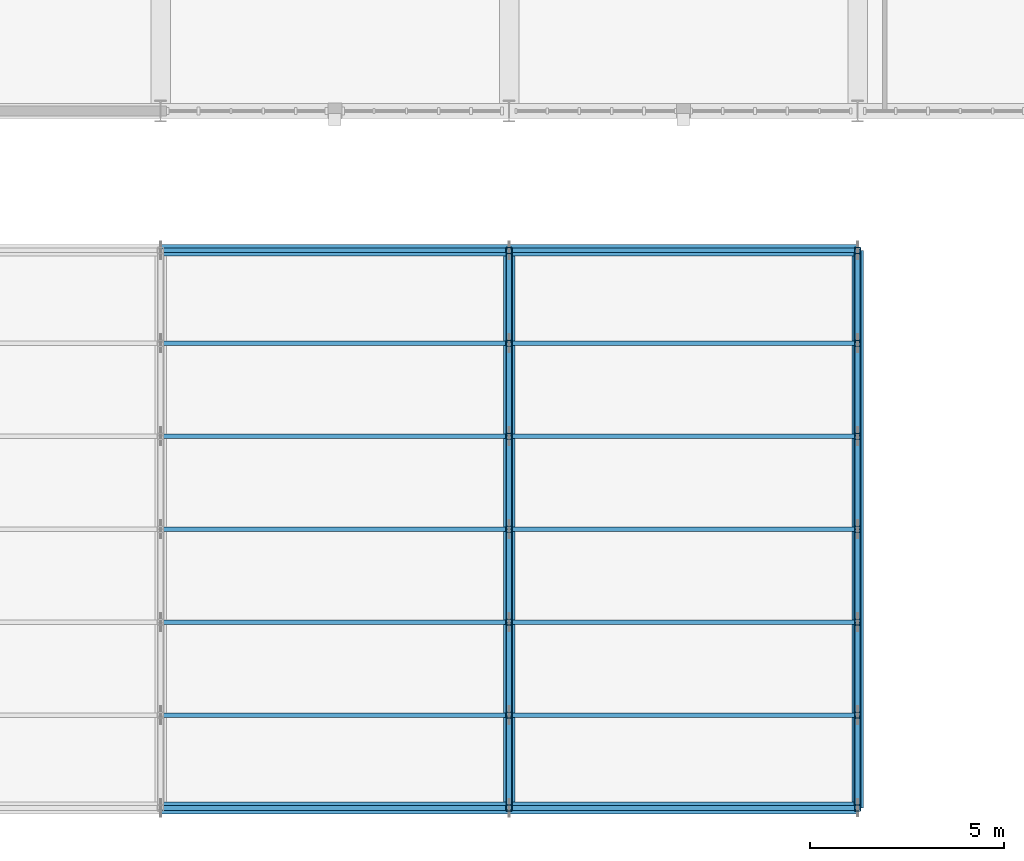
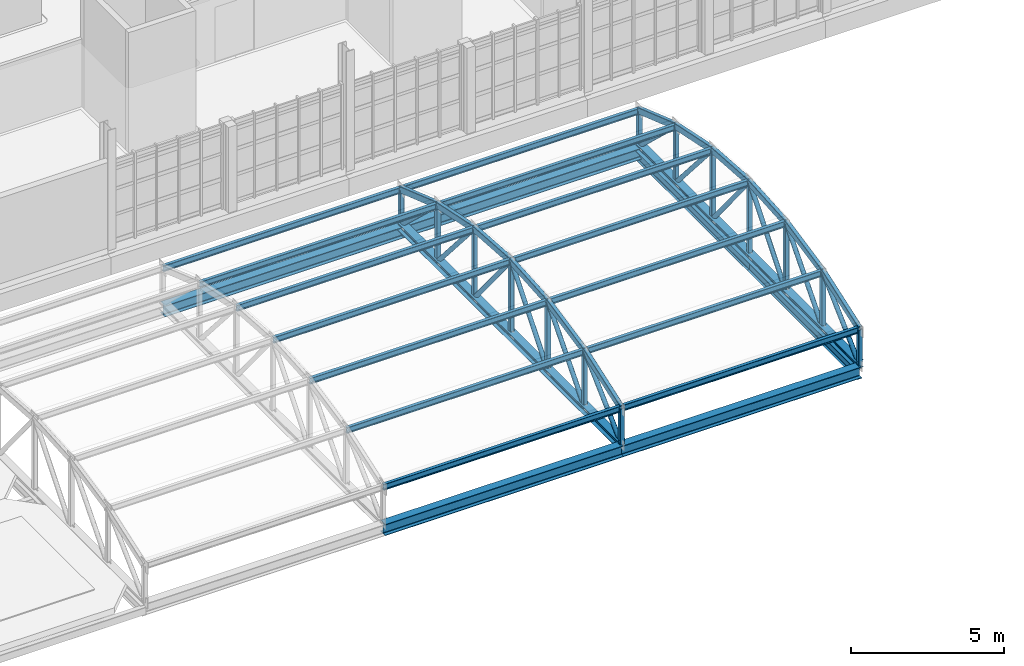
# One storey, part 16 of 128: 54 members, 6 beams.
"""IFC4 building model written with IfcOpenShell, lengths in metres."""

from ifc_helpers import new_model, si_unit, direction, frame, origin, origin_2d, place, context, subcontext, project, spatial, hollow_rectangle, hollow_circle, i_section, extrude, material, material_profile, profile_set, type_object, element, save


model = new_model("IFC4")

# Units and contexts
model_context = context("Model", 3, precision=1e-05, world=origin(), true_north=direction((0.0, 1.0)))
body_context = subcontext(model_context, "Body", "Model", "MODEL_VIEW")
ifc_project = project(units=[si_unit("LENGTHUNIT", "METRE"), si_unit("AREAUNIT", "SQUARE_METRE"), si_unit("VOLUMEUNIT", "CUBIC_METRE"), si_unit("PLANEANGLEUNIT", "RADIAN"), si_unit("MASSUNIT", "GRAM", prefix="KILO")], contexts=[model_context])

# Site, building, storey
site_placement = place(None, origin())
site = spatial("IfcSite", under=ifc_project, at=site_placement, CompositionType="ELEMENT")
building_placement = place(site_placement, origin())
building = spatial("IfcBuilding", under=site, at=building_placement, Name="Serraforn Aerial Cableway Station", CompositionType="ELEMENT")
storey_placement = place(building_placement, frame((0.0, 0.0, 9.0)))
storey = spatial("IfcBuildingStorey", under=building, at=storey_placement, Name="L02", CompositionType="ELEMENT", Elevation=9.0)

# Beams
ifc_material_1 = material(Name="Steel S355JR", Category="steel")
ifc_material_profile_1 = material_profile(ifc_material_1, i_section(OverallWidth=0.300048828125, OverallDepth=0.449951171875, WebThickness=0.011474609375, FlangeThickness=0.02099609375, FilletRadius=0.027099609375, at=origin_2d()), Name="HEA 450")
ifc_profile_set_1 = profile_set([ifc_material_profile_1], Name="Steel S355JR")
beam_type_1 = type_object("IfcBeamType", Name="BM-ST-HEA450", PredefinedType="USERDEFINED", material=ifc_profile_set_1)
for number, where, z_axis, x_axis, name in (
    (1, (45.60009765625, 0.0, -0.364990234375), (1.0, 0.0, 0.0), (0.0, 1.0, 0.0), "Concourse Vault Eave Girder S-2"),
    (2, (54.60009765625, 0.0, -0.364990234375), (1.0, 0.0, 0.0), (0.0, 1.0, 0.0), "Concourse Vault Eave Girder S-3"),
    (3, (45.60009765625, 14.39990234375, -0.364990234375), (1.0, 0.0, 0.0), (0.0, 1.0, 0.0), "Concourse Vault Eave Girder N-2"),
    (4, (54.60009765625, 14.39990234375, -0.364990234375), (1.0, 0.0, 0.0), (0.0, 1.0, 0.0), "Concourse Vault Eave Girder N-3"),
):
    element("IfcBeam", number, at=place(storey_placement, frame(where, z_axis=z_axis, x_axis=x_axis)), inside=storey, type_object=beam_type_1, Name=name, ObjectType="GIRDER", PredefinedType="USERDEFINED", context=body_context, shape_type="SweptSolid", body=[
        extrude(i_section(OverallWidth=0.300048828125, OverallDepth=0.449951171875, WebThickness=0.011474609375, FlangeThickness=0.02099609375, FilletRadius=0.027099609375, at=origin_2d()), origin(), (0.0, 0.0, 1.0), 9.0),
    ])
ifc_material_profile_2 = material_profile(ifc_material_1, i_section(OverallWidth=0.179931640625, OverallDepth=0.39990234375, WebThickness=0.008544921875, FlangeThickness=0.013427734375, FilletRadius=0.02099609375, at=origin_2d()), Name="IPE 400")
ifc_profile_set_2 = profile_set([ifc_material_profile_2], Name="Steel S355JR")
beam_type_2 = type_object("IfcBeamType", Name="BM-ST-IPE400", PredefinedType="BEAM", material=ifc_profile_set_2)
for number, where, z_axis, x_axis, name in (
    (5, (63.60009765625, 0.0, -0.52001953125), (0.0, 1.0, 0.0), (-1.0, 0.0, 0.0), "Grid Girder Y CF L02 X5-1"),
    (6, (63.60009765625, 7.199951171875, -0.52001953125), (0.0, 1.0, 0.0), (-1.0, 0.0, 0.0), "Grid Girder Y CF L02 X5-2"),
):
    element("IfcBeam", number, at=place(storey_placement, frame(where, z_axis=z_axis, x_axis=x_axis)), inside=storey, type_object=beam_type_2, Name=name, PredefinedType="BEAM", context=body_context, shape_type="SweptSolid", body=[
        extrude(i_section(OverallWidth=0.179931640625, OverallDepth=0.39990234375, WebThickness=0.008544921875, FlangeThickness=0.013427734375, FilletRadius=0.02099609375, at=origin_2d()), origin(), (0.0, 0.0, 1.0), 7.199951171875),
    ])

# Members
ifc_material_2 = material(Name="Steel S355J2", Category="steel")
ifc_material_profile_3 = material_profile(ifc_material_2, hollow_rectangle(XDim=0.14990234375, YDim=0.25, WallThickness=0.010009765625, InnerFilletRadius=0.010009765625, OuterFilletRadius=0.02001953125, at=origin_2d()), Name="RHS 250x150x10.0")
ifc_profile_set_3 = profile_set([ifc_material_profile_3], Name="Steel S355J2")
member_type_1 = type_object("IfcMemberType", Name="MEM-AR-RHS250", PredefinedType="CHORD", material=ifc_profile_set_3)
member_1_placement = place(storey_placement, frame((54.60009765625, 0.0, 1.2900390625), z_axis=(0.0, 0.944679454342, 0.327995012988), x_axis=(-1.0, 0.0, 0.0)))
element("IfcMember", 7, at=member_1_placement, inside=storey, type_object=member_type_1, Name="Barrel Vault Arch Rib VR-03-1", PredefinedType="CHORD", context=body_context, shape_type="SweptSolid", body=[
    extrude(hollow_rectangle(XDim=0.14990234375, YDim=0.25, WallThickness=0.010009765625, InnerFilletRadius=0.010009765625, OuterFilletRadius=0.02001953125, at=origin_2d()), origin(), (0.0, 0.0, 1.0), 2.54052734375),
])
member_2_placement = place(storey_placement, frame((54.60009765625, 2.39990234375, 2.123291015625), z_axis=(0.0, 0.978982905053, 0.203942324234), x_axis=(-1.0, 0.0, 0.0)))
element("IfcMember", 8, at=member_2_placement, inside=storey, type_object=member_type_1, Name="Barrel Vault Arch Rib VR-03-2", PredefinedType="CHORD", context=body_context, shape_type="SweptSolid", body=[
    extrude(hollow_rectangle(XDim=0.14990234375, YDim=0.25, WallThickness=0.010009765625, InnerFilletRadius=0.010009765625, OuterFilletRadius=0.02001953125, at=origin_2d()), origin(), (0.0, 0.0, 1.0), 2.45166015625),
])
member_3_placement = place(storey_placement, frame((54.60009765625, 4.800048828125, 2.623291015625), z_axis=(0.0, 0.997594887566, 0.069314070011), x_axis=(-1.0, 0.0, 0.0)))
element("IfcMember", 9, at=member_3_placement, inside=storey, type_object=member_type_1, Name="Barrel Vault Arch Rib VR-03-3", PredefinedType="CHORD", context=body_context, shape_type="SweptSolid", body=[
    extrude(hollow_rectangle(XDim=0.14990234375, YDim=0.25, WallThickness=0.010009765625, InnerFilletRadius=0.010009765625, OuterFilletRadius=0.02001953125, at=origin_2d()), origin(), (0.0, 0.0, 1.0), 2.40576171875),
])
member_4_placement = place(storey_placement, frame((54.60009765625, 7.199951171875, 2.7900390625), z_axis=(0.0, 0.99759537507, -0.069307053318), x_axis=(-1.0, 0.0, 0.0)))
element("IfcMember", 10, at=member_4_placement, inside=storey, type_object=member_type_1, Name="Barrel Vault Arch Rib VR-03-4", PredefinedType="CHORD", context=body_context, shape_type="SweptSolid", body=[
    extrude(hollow_rectangle(XDim=0.14990234375, YDim=0.25, WallThickness=0.010009765625, InnerFilletRadius=0.010009765625, OuterFilletRadius=0.02001953125, at=origin_2d()), origin(), (0.0, 0.0, 1.0), 2.406005859375),
])
member_5_placement = place(storey_placement, frame((54.60009765625, 9.60009765625, 2.623291015625), z_axis=(0.0, 0.978978762618, -0.203962208122), x_axis=(-1.0, 0.0, 0.0)))
element("IfcMember", 11, at=member_5_placement, inside=storey, type_object=member_type_1, Name="Barrel Vault Arch Rib VR-03-5", PredefinedType="CHORD", context=body_context, shape_type="SweptSolid", body=[
    extrude(hollow_rectangle(XDim=0.14990234375, YDim=0.25, WallThickness=0.010009765625, InnerFilletRadius=0.010009765625, OuterFilletRadius=0.02001953125, at=origin_2d()), origin(), (0.0, 0.0, 1.0), 2.451416015625),
])
for number, where, z_axis, x_axis, name in (
    (12, (54.60009765625, 12.0, 2.123291015625), (0.0, 0.944679454342, -0.327995012988), (-1.0, 0.0, 0.0), "Barrel Vault Arch Rib VR-03-6"),
    (13, (63.60009765625, 0.0, 1.2900390625), (0.0, 0.944679454342, 0.327995012988), (-1.0, 0.0, 0.0), "Barrel Vault Arch Rib VR-04-1"),
):
    element("IfcMember", number, at=place(storey_placement, frame(where, z_axis=z_axis, x_axis=x_axis)), inside=storey, type_object=member_type_1, Name=name, PredefinedType="CHORD", context=body_context, shape_type="SweptSolid", body=[
        extrude(hollow_rectangle(XDim=0.14990234375, YDim=0.25, WallThickness=0.010009765625, InnerFilletRadius=0.010009765625, OuterFilletRadius=0.02001953125, at=origin_2d()), origin(), (0.0, 0.0, 1.0), 2.54052734375),
    ])
member_6_placement = place(storey_placement, frame((63.60009765625, 2.39990234375, 2.123291015625), z_axis=(0.0, 0.978982905053, 0.203942324234), x_axis=(-1.0, 0.0, 0.0)))
element("IfcMember", 14, at=member_6_placement, inside=storey, type_object=member_type_1, Name="Barrel Vault Arch Rib VR-04-2", PredefinedType="CHORD", context=body_context, shape_type="SweptSolid", body=[
    extrude(hollow_rectangle(XDim=0.14990234375, YDim=0.25, WallThickness=0.010009765625, InnerFilletRadius=0.010009765625, OuterFilletRadius=0.02001953125, at=origin_2d()), origin(), (0.0, 0.0, 1.0), 2.45166015625),
])
member_7_placement = place(storey_placement, frame((63.60009765625, 4.800048828125, 2.623291015625), z_axis=(0.0, 0.997594887566, 0.069314070011), x_axis=(-1.0, 0.0, 0.0)))
element("IfcMember", 15, at=member_7_placement, inside=storey, type_object=member_type_1, Name="Barrel Vault Arch Rib VR-04-3", PredefinedType="CHORD", context=body_context, shape_type="SweptSolid", body=[
    extrude(hollow_rectangle(XDim=0.14990234375, YDim=0.25, WallThickness=0.010009765625, InnerFilletRadius=0.010009765625, OuterFilletRadius=0.02001953125, at=origin_2d()), origin(), (0.0, 0.0, 1.0), 2.40576171875),
])
member_8_placement = place(storey_placement, frame((63.60009765625, 7.199951171875, 2.7900390625), z_axis=(0.0, 0.99759537507, -0.069307053318), x_axis=(-1.0, 0.0, 0.0)))
element("IfcMember", 16, at=member_8_placement, inside=storey, type_object=member_type_1, Name="Barrel Vault Arch Rib VR-04-4", PredefinedType="CHORD", context=body_context, shape_type="SweptSolid", body=[
    extrude(hollow_rectangle(XDim=0.14990234375, YDim=0.25, WallThickness=0.010009765625, InnerFilletRadius=0.010009765625, OuterFilletRadius=0.02001953125, at=origin_2d()), origin(), (0.0, 0.0, 1.0), 2.406005859375),
])
member_9_placement = place(storey_placement, frame((63.60009765625, 9.60009765625, 2.623291015625), z_axis=(0.0, 0.978978762618, -0.203962208122), x_axis=(-1.0, 0.0, 0.0)))
element("IfcMember", 17, at=member_9_placement, inside=storey, type_object=member_type_1, Name="Barrel Vault Arch Rib VR-04-5", PredefinedType="CHORD", context=body_context, shape_type="SweptSolid", body=[
    extrude(hollow_rectangle(XDim=0.14990234375, YDim=0.25, WallThickness=0.010009765625, InnerFilletRadius=0.010009765625, OuterFilletRadius=0.02001953125, at=origin_2d()), origin(), (0.0, 0.0, 1.0), 2.451416015625),
])
member_10_placement = place(storey_placement, frame((63.60009765625, 12.0, 2.123291015625), z_axis=(0.0, 0.944679454342, -0.327995012988), x_axis=(-1.0, 0.0, 0.0)))
element("IfcMember", 18, at=member_10_placement, inside=storey, type_object=member_type_1, Name="Barrel Vault Arch Rib VR-04-6", PredefinedType="CHORD", context=body_context, shape_type="SweptSolid", body=[
    extrude(hollow_rectangle(XDim=0.14990234375, YDim=0.25, WallThickness=0.010009765625, InnerFilletRadius=0.010009765625, OuterFilletRadius=0.02001953125, at=origin_2d()), origin(), (0.0, 0.0, 1.0), 2.54052734375),
])
ifc_material_profile_4 = material_profile(ifc_material_2, i_section(OverallWidth=0.300048828125, OverallDepth=0.300048828125, WebThickness=0.008544921875, FlangeThickness=0.013916015625, FilletRadius=0.027099609375, at=origin_2d()), Name="HEA 300")
ifc_profile_set_4 = profile_set([ifc_material_profile_4], Name="Steel S355J2")
member_type_2 = type_object("IfcMemberType", Name="MEM-BC-HEA300", PredefinedType="CHORD", material=ifc_profile_set_4)
for number, where, z_axis, x_axis, name in (
    (19, (54.60009765625, 0.0, -0.139892578125), (0.0, 1.0, 0.0), (-1.0, 0.0, 0.0), "Barrel Vault Tie Chord VR-03"),
    (20, (63.60009765625, 0.0, -0.139892578125), (0.0, 1.0, 0.0), (-1.0, 0.0, 0.0), "Barrel Vault Tie Chord VR-04"),
):
    element("IfcMember", number, at=place(storey_placement, frame(where, z_axis=z_axis, x_axis=x_axis)), inside=storey, type_object=member_type_2, Name=name, PredefinedType="CHORD", context=body_context, shape_type="SweptSolid", body=[
        extrude(i_section(OverallWidth=0.300048828125, OverallDepth=0.300048828125, WebThickness=0.008544921875, FlangeThickness=0.013916015625, FilletRadius=0.027099609375, at=origin_2d()), origin(), (0.0, 0.0, 1.0), 14.39990234375),
    ])
ifc_material_profile_5 = material_profile(ifc_material_2, hollow_circle(Radius=0.084228515625, WallThickness=0.008056640625, at=origin_2d()), Name="CHS 168.3x8.0")
ifc_profile_set_5 = profile_set([ifc_material_profile_5], Name="Steel S355J2")
member_type_3 = type_object("IfcMemberType", Name="MEM-DG-CHS168", PredefinedType="BRACE", material=ifc_profile_set_5)
member_11_placement = place(storey_placement, frame((54.60009765625, 0.0, -0.139892578125), z_axis=(0.0, 0.727526074923, 0.686080031998), x_axis=(-1.0, 0.0, 0.0)))
element("IfcMember", 21, at=member_11_placement, inside=storey, type_object=member_type_3, Name="Barrel Vault Web Diagonal VR-03-1", PredefinedType="BRACE", context=body_context, shape_type="SweptSolid", body=[
    extrude(hollow_circle(Radius=0.084228515625, WallThickness=0.008056640625, at=origin_2d()), origin(), (0.0, 0.0, 1.0), 3.298828125),
])
member_12_placement = place(storey_placement, frame((54.60009765625, 2.39990234375, -0.139892578125), z_axis=(0.0, 0.655770709956, 0.754960115479), x_axis=(-1.0, 0.0, 0.0)))
element("IfcMember", 22, at=member_12_placement, inside=storey, type_object=member_type_3, Name="Barrel Vault Web Diagonal VR-03-2", PredefinedType="BRACE", context=body_context, shape_type="SweptSolid", body=[
    extrude(hollow_circle(Radius=0.084228515625, WallThickness=0.008056640625, at=origin_2d()), origin(), (0.0, 0.0, 1.0), 3.66015625),
])
member_13_placement = place(storey_placement, frame((54.60009765625, 4.800048828125, -0.139892578125), z_axis=(0.0, 0.633662442695, 0.773609661727), x_axis=(-1.0, 0.0, 0.0)))
element("IfcMember", 23, at=member_13_placement, inside=storey, type_object=member_type_3, Name="Barrel Vault Web Diagonal VR-03-3", PredefinedType="BRACE", context=body_context, shape_type="SweptSolid", body=[
    extrude(hollow_circle(Radius=0.084228515625, WallThickness=0.008056640625, at=origin_2d()), origin(), (0.0, 0.0, 1.0), 3.787353515625),
])
member_14_placement = place(storey_placement, frame((54.60009765625, 7.199951171875, 2.7900390625), z_axis=(0.0, 0.633701019087, -0.773578062259), x_axis=(-1.0, 0.0, 0.0)))
element("IfcMember", 24, at=member_14_placement, inside=storey, type_object=member_type_3, Name="Barrel Vault Web Diagonal VR-03-4", PredefinedType="BRACE", context=body_context, shape_type="SweptSolid", body=[
    extrude(hollow_circle(Radius=0.084228515625, WallThickness=0.008056640625, at=origin_2d()), origin(), (0.0, 0.0, 1.0), 3.78759765625),
])
member_15_placement = place(storey_placement, frame((54.60009765625, 9.60009765625, 2.623291015625), z_axis=(0.0, 0.655732688317, -0.754993140017), x_axis=(-1.0, 0.0, 0.0)))
element("IfcMember", 25, at=member_15_placement, inside=storey, type_object=member_type_3, Name="Barrel Vault Web Diagonal VR-03-5", PredefinedType="BRACE", context=body_context, shape_type="SweptSolid", body=[
    extrude(hollow_circle(Radius=0.084228515625, WallThickness=0.008056640625, at=origin_2d()), origin(), (0.0, 0.0, 1.0), 3.659912109375),
])
for number, where, z_axis, x_axis, name in (
    (26, (54.60009765625, 12.0, 2.123291015625), (0.0, 0.727526074923, -0.686080031998), (-1.0, 0.0, 0.0), "Barrel Vault Web Diagonal VR-03-6"),
    (27, (63.60009765625, 0.0, -0.139892578125), (0.0, 0.727526074923, 0.686080031998), (-1.0, 0.0, 0.0), "Barrel Vault Web Diagonal VR-04-1"),
):
    element("IfcMember", number, at=place(storey_placement, frame(where, z_axis=z_axis, x_axis=x_axis)), inside=storey, type_object=member_type_3, Name=name, PredefinedType="BRACE", context=body_context, shape_type="SweptSolid", body=[
        extrude(hollow_circle(Radius=0.084228515625, WallThickness=0.008056640625, at=origin_2d()), origin(), (0.0, 0.0, 1.0), 3.298828125),
    ])
member_16_placement = place(storey_placement, frame((63.60009765625, 2.39990234375, -0.139892578125), z_axis=(0.0, 0.655770709956, 0.754960115479), x_axis=(-1.0, 0.0, 0.0)))
element("IfcMember", 28, at=member_16_placement, inside=storey, type_object=member_type_3, Name="Barrel Vault Web Diagonal VR-04-2", PredefinedType="BRACE", context=body_context, shape_type="SweptSolid", body=[
    extrude(hollow_circle(Radius=0.084228515625, WallThickness=0.008056640625, at=origin_2d()), origin(), (0.0, 0.0, 1.0), 3.66015625),
])
member_17_placement = place(storey_placement, frame((63.60009765625, 4.800048828125, -0.139892578125), z_axis=(0.0, 0.633662442695, 0.773609661727), x_axis=(-1.0, 0.0, 0.0)))
element("IfcMember", 29, at=member_17_placement, inside=storey, type_object=member_type_3, Name="Barrel Vault Web Diagonal VR-04-3", PredefinedType="BRACE", context=body_context, shape_type="SweptSolid", body=[
    extrude(hollow_circle(Radius=0.084228515625, WallThickness=0.008056640625, at=origin_2d()), origin(), (0.0, 0.0, 1.0), 3.787353515625),
])
member_18_placement = place(storey_placement, frame((63.60009765625, 7.199951171875, 2.7900390625), z_axis=(0.0, 0.633701019087, -0.773578062259), x_axis=(-1.0, 0.0, 0.0)))
element("IfcMember", 30, at=member_18_placement, inside=storey, type_object=member_type_3, Name="Barrel Vault Web Diagonal VR-04-4", PredefinedType="BRACE", context=body_context, shape_type="SweptSolid", body=[
    extrude(hollow_circle(Radius=0.084228515625, WallThickness=0.008056640625, at=origin_2d()), origin(), (0.0, 0.0, 1.0), 3.78759765625),
])
member_19_placement = place(storey_placement, frame((63.60009765625, 9.60009765625, 2.623291015625), z_axis=(0.0, 0.655732688317, -0.754993140017), x_axis=(-1.0, 0.0, 0.0)))
element("IfcMember", 31, at=member_19_placement, inside=storey, type_object=member_type_3, Name="Barrel Vault Web Diagonal VR-04-5", PredefinedType="BRACE", context=body_context, shape_type="SweptSolid", body=[
    extrude(hollow_circle(Radius=0.084228515625, WallThickness=0.008056640625, at=origin_2d()), origin(), (0.0, 0.0, 1.0), 3.659912109375),
])
member_20_placement = place(storey_placement, frame((63.60009765625, 12.0, 2.123291015625), z_axis=(0.0, 0.727526074923, -0.686080031998), x_axis=(-1.0, 0.0, 0.0)))
element("IfcMember", 32, at=member_20_placement, inside=storey, type_object=member_type_3, Name="Barrel Vault Web Diagonal VR-04-6", PredefinedType="BRACE", context=body_context, shape_type="SweptSolid", body=[
    extrude(hollow_circle(Radius=0.084228515625, WallThickness=0.008056640625, at=origin_2d()), origin(), (0.0, 0.0, 1.0), 3.298828125),
])
ifc_material_profile_6 = material_profile(ifc_material_1, i_section(OverallWidth=0.1201171875, OverallDepth=0.239990234375, WebThickness=0.006103515625, FlangeThickness=0.009765625, FilletRadius=0.014892578125, at=origin_2d()), Name="IPE 240")
ifc_profile_set_6 = profile_set([ifc_material_profile_6], Name="Steel S355JR")
member_type_4 = type_object("IfcMemberType", Name="MEM-PR-IPE240", PredefinedType="PURLIN", material=ifc_profile_set_6)
for number, where, z_axis, x_axis, name in (
    (33, (45.60009765625, 0.0, 1.280517578125), (1.0, 0.0, 0.0), (0.0, 1.0, 0.0), "Barrel Vault Purlin 2-1"),
    (34, (45.60009765625, 2.39990234375, 2.093017578125), (1.0, 0.0, 0.0), (0.0, 1.0, 0.0), "Barrel Vault Purlin 2-2"),
    (35, (45.60009765625, 4.800048828125, 2.607421875), (1.0, 0.0, 0.0), (0.0, 1.0, 0.0), "Barrel Vault Purlin 2-3"),
    (36, (45.60009765625, 7.199951171875, 2.785400390625), (1.0, 0.0, 0.0), (0.0, 1.0, 0.0), "Barrel Vault Purlin 2-4"),
    (37, (45.60009765625, 9.60009765625, 2.607421875), (1.0, 0.0, 0.0), (0.0, 1.0, 0.0), "Barrel Vault Purlin 2-5"),
    (38, (45.60009765625, 12.0, 2.093017578125), (1.0, 0.0, 0.0), (0.0, 1.0, 0.0), "Barrel Vault Purlin 2-6"),
    (39, (45.60009765625, 14.39990234375, 1.280517578125), (1.0, 0.0, 0.0), (0.0, 1.0, 0.0), "Barrel Vault Purlin 2-7"),
    (40, (54.60009765625, 0.0, 1.280517578125), (1.0, 0.0, 0.0), (0.0, 1.0, 0.0), "Barrel Vault Purlin 3-1"),
    (41, (54.60009765625, 2.39990234375, 2.093017578125), (1.0, 0.0, 0.0), (0.0, 1.0, 0.0), "Barrel Vault Purlin 3-2"),
    (42, (54.60009765625, 4.800048828125, 2.607421875), (1.0, 0.0, 0.0), (0.0, 1.0, 0.0), "Barrel Vault Purlin 3-3"),
    (43, (54.60009765625, 7.199951171875, 2.785400390625), (1.0, 0.0, 0.0), (0.0, 1.0, 0.0), "Barrel Vault Purlin 3-4"),
    (44, (54.60009765625, 9.60009765625, 2.607421875), (1.0, 0.0, 0.0), (0.0, 1.0, 0.0), "Barrel Vault Purlin 3-5"),
    (45, (54.60009765625, 12.0, 2.093017578125), (1.0, 0.0, 0.0), (0.0, 1.0, 0.0), "Barrel Vault Purlin 3-6"),
    (46, (54.60009765625, 14.39990234375, 1.280517578125), (1.0, 0.0, 0.0), (0.0, 1.0, 0.0), "Barrel Vault Purlin 3-7"),
):
    element("IfcMember", number, at=place(storey_placement, frame(where, z_axis=z_axis, x_axis=x_axis)), inside=storey, type_object=member_type_4, Name=name, PredefinedType="PURLIN", context=body_context, shape_type="SweptSolid", body=[
        extrude(i_section(OverallWidth=0.1201171875, OverallDepth=0.239990234375, WebThickness=0.006103515625, FlangeThickness=0.009765625, FilletRadius=0.014892578125, at=origin_2d()), origin(), (0.0, 0.0, 1.0), 9.0),
    ])
ifc_material_profile_7 = material_profile(ifc_material_2, hollow_rectangle(XDim=0.159912109375, YDim=0.159912109375, WallThickness=0.008056640625, InnerFilletRadius=0.008056640625, OuterFilletRadius=0.01611328125, at=origin_2d()), Name="SHS 160x160x8.0")
ifc_profile_set_7 = profile_set([ifc_material_profile_7], Name="Steel S355J2")
member_type_5 = type_object("IfcMemberType", Name="MEM-VP-SHS160", PredefinedType="STRUT", material=ifc_profile_set_7)
member_21_placement = place(storey_placement, frame((54.60009765625, 0.0, -0.14990234375), z_axis=(0.0, 0.0, 1.0), x_axis=(1.0, 0.0, 0.0)))
element("IfcMember", 47, at=member_21_placement, inside=storey, type_object=member_type_5, Name="Barrel Vault Post VR-03-1", PredefinedType="STRUT", context=body_context, shape_type="SweptSolid", body=[
    extrude(hollow_rectangle(XDim=0.159912109375, YDim=0.159912109375, WallThickness=0.008056640625, InnerFilletRadius=0.008056640625, OuterFilletRadius=0.01611328125, at=origin_2d()), origin(), (0.0, 0.0, 1.0), 1.449951171875),
])
member_22_placement = place(storey_placement, frame((54.60009765625, 2.39990234375, -0.14990234375), z_axis=(0.0, 0.0, 1.0), x_axis=(1.0, 0.0, 0.0)))
element("IfcMember", 48, at=member_22_placement, inside=storey, type_object=member_type_5, Name="Barrel Vault Post VR-03-2", PredefinedType="STRUT", context=body_context, shape_type="SweptSolid", body=[
    extrude(hollow_rectangle(XDim=0.159912109375, YDim=0.159912109375, WallThickness=0.008056640625, InnerFilletRadius=0.008056640625, OuterFilletRadius=0.01611328125, at=origin_2d()), origin(), (0.0, 0.0, 1.0), 2.283203125),
])
member_23_placement = place(storey_placement, frame((54.60009765625, 4.800048828125, -0.14990234375), z_axis=(0.0, 0.0, 1.0), x_axis=(1.0, 0.0, 0.0)))
element("IfcMember", 49, at=member_23_placement, inside=storey, type_object=member_type_5, Name="Barrel Vault Post VR-03-3", PredefinedType="STRUT", context=body_context, shape_type="SweptSolid", body=[
    extrude(hollow_rectangle(XDim=0.159912109375, YDim=0.159912109375, WallThickness=0.008056640625, InnerFilletRadius=0.008056640625, OuterFilletRadius=0.01611328125, at=origin_2d()), origin(), (0.0, 0.0, 1.0), 2.783203125),
])
member_24_placement = place(storey_placement, frame((54.60009765625, 7.199951171875, -0.14990234375), z_axis=(0.0, 0.0, 1.0), x_axis=(1.0, 0.0, 0.0)))
element("IfcMember", 50, at=member_24_placement, inside=storey, type_object=member_type_5, Name="Barrel Vault Post VR-03-4", PredefinedType="STRUT", context=body_context, shape_type="SweptSolid", body=[
    extrude(hollow_rectangle(XDim=0.159912109375, YDim=0.159912109375, WallThickness=0.008056640625, InnerFilletRadius=0.008056640625, OuterFilletRadius=0.01611328125, at=origin_2d()), origin(), (0.0, 0.0, 1.0), 2.949951171875),
])
member_25_placement = place(storey_placement, frame((54.60009765625, 9.60009765625, -0.14990234375), z_axis=(0.0, 0.0, 1.0), x_axis=(1.0, 0.0, 0.0)))
element("IfcMember", 51, at=member_25_placement, inside=storey, type_object=member_type_5, Name="Barrel Vault Post VR-03-5", PredefinedType="STRUT", context=body_context, shape_type="SweptSolid", body=[
    extrude(hollow_rectangle(XDim=0.159912109375, YDim=0.159912109375, WallThickness=0.008056640625, InnerFilletRadius=0.008056640625, OuterFilletRadius=0.01611328125, at=origin_2d()), origin(), (0.0, 0.0, 1.0), 2.783203125),
])
member_26_placement = place(storey_placement, frame((54.60009765625, 12.0, -0.14990234375), z_axis=(0.0, 0.0, 1.0), x_axis=(1.0, 0.0, 0.0)))
element("IfcMember", 52, at=member_26_placement, inside=storey, type_object=member_type_5, Name="Barrel Vault Post VR-03-6", PredefinedType="STRUT", context=body_context, shape_type="SweptSolid", body=[
    extrude(hollow_rectangle(XDim=0.159912109375, YDim=0.159912109375, WallThickness=0.008056640625, InnerFilletRadius=0.008056640625, OuterFilletRadius=0.01611328125, at=origin_2d()), origin(), (0.0, 0.0, 1.0), 2.283203125),
])
for number, where, z_axis, x_axis, name in (
    (53, (54.60009765625, 14.39990234375, -0.14990234375), (0.0, 0.0, 1.0), (1.0, 0.0, 0.0), "Barrel Vault Post VR-03-7"),
    (54, (63.60009765625, 0.0, -0.14990234375), (0.0, 0.0, 1.0), (1.0, 0.0, 0.0), "Barrel Vault Post VR-04-1"),
):
    element("IfcMember", number, at=place(storey_placement, frame(where, z_axis=z_axis, x_axis=x_axis)), inside=storey, type_object=member_type_5, Name=name, PredefinedType="STRUT", context=body_context, shape_type="SweptSolid", body=[
        extrude(hollow_rectangle(XDim=0.159912109375, YDim=0.159912109375, WallThickness=0.008056640625, InnerFilletRadius=0.008056640625, OuterFilletRadius=0.01611328125, at=origin_2d()), origin(), (0.0, 0.0, 1.0), 1.449951171875),
    ])
member_27_placement = place(storey_placement, frame((63.60009765625, 2.39990234375, -0.14990234375), z_axis=(0.0, 0.0, 1.0), x_axis=(1.0, 0.0, 0.0)))
element("IfcMember", 55, at=member_27_placement, inside=storey, type_object=member_type_5, Name="Barrel Vault Post VR-04-2", PredefinedType="STRUT", context=body_context, shape_type="SweptSolid", body=[
    extrude(hollow_rectangle(XDim=0.159912109375, YDim=0.159912109375, WallThickness=0.008056640625, InnerFilletRadius=0.008056640625, OuterFilletRadius=0.01611328125, at=origin_2d()), origin(), (0.0, 0.0, 1.0), 2.283203125),
])
member_28_placement = place(storey_placement, frame((63.60009765625, 4.800048828125, -0.14990234375), z_axis=(0.0, 0.0, 1.0), x_axis=(1.0, 0.0, 0.0)))
element("IfcMember", 56, at=member_28_placement, inside=storey, type_object=member_type_5, Name="Barrel Vault Post VR-04-3", PredefinedType="STRUT", context=body_context, shape_type="SweptSolid", body=[
    extrude(hollow_rectangle(XDim=0.159912109375, YDim=0.159912109375, WallThickness=0.008056640625, InnerFilletRadius=0.008056640625, OuterFilletRadius=0.01611328125, at=origin_2d()), origin(), (0.0, 0.0, 1.0), 2.783203125),
])
member_29_placement = place(storey_placement, frame((63.60009765625, 7.199951171875, -0.14990234375), z_axis=(0.0, 0.0, 1.0), x_axis=(1.0, 0.0, 0.0)))
element("IfcMember", 57, at=member_29_placement, inside=storey, type_object=member_type_5, Name="Barrel Vault Post VR-04-4", PredefinedType="STRUT", context=body_context, shape_type="SweptSolid", body=[
    extrude(hollow_rectangle(XDim=0.159912109375, YDim=0.159912109375, WallThickness=0.008056640625, InnerFilletRadius=0.008056640625, OuterFilletRadius=0.01611328125, at=origin_2d()), origin(), (0.0, 0.0, 1.0), 2.949951171875),
])
member_30_placement = place(storey_placement, frame((63.60009765625, 9.60009765625, -0.14990234375), z_axis=(0.0, 0.0, 1.0), x_axis=(1.0, 0.0, 0.0)))
element("IfcMember", 58, at=member_30_placement, inside=storey, type_object=member_type_5, Name="Barrel Vault Post VR-04-5", PredefinedType="STRUT", context=body_context, shape_type="SweptSolid", body=[
    extrude(hollow_rectangle(XDim=0.159912109375, YDim=0.159912109375, WallThickness=0.008056640625, InnerFilletRadius=0.008056640625, OuterFilletRadius=0.01611328125, at=origin_2d()), origin(), (0.0, 0.0, 1.0), 2.783203125),
])
member_31_placement = place(storey_placement, frame((63.60009765625, 12.0, -0.14990234375), z_axis=(0.0, 0.0, 1.0), x_axis=(1.0, 0.0, 0.0)))
element("IfcMember", 59, at=member_31_placement, inside=storey, type_object=member_type_5, Name="Barrel Vault Post VR-04-6", PredefinedType="STRUT", context=body_context, shape_type="SweptSolid", body=[
    extrude(hollow_rectangle(XDim=0.159912109375, YDim=0.159912109375, WallThickness=0.008056640625, InnerFilletRadius=0.008056640625, OuterFilletRadius=0.01611328125, at=origin_2d()), origin(), (0.0, 0.0, 1.0), 2.283203125),
])
member_32_placement = place(storey_placement, frame((63.60009765625, 14.39990234375, -0.14990234375), z_axis=(0.0, 0.0, 1.0), x_axis=(1.0, 0.0, 0.0)))
element("IfcMember", 60, at=member_32_placement, inside=storey, type_object=member_type_5, Name="Barrel Vault Post VR-04-7", PredefinedType="STRUT", context=body_context, shape_type="SweptSolid", body=[
    extrude(hollow_rectangle(XDim=0.159912109375, YDim=0.159912109375, WallThickness=0.008056640625, InnerFilletRadius=0.008056640625, OuterFilletRadius=0.01611328125, at=origin_2d()), origin(), (0.0, 0.0, 1.0), 1.449951171875),
])

save(model, "model.ifc")
